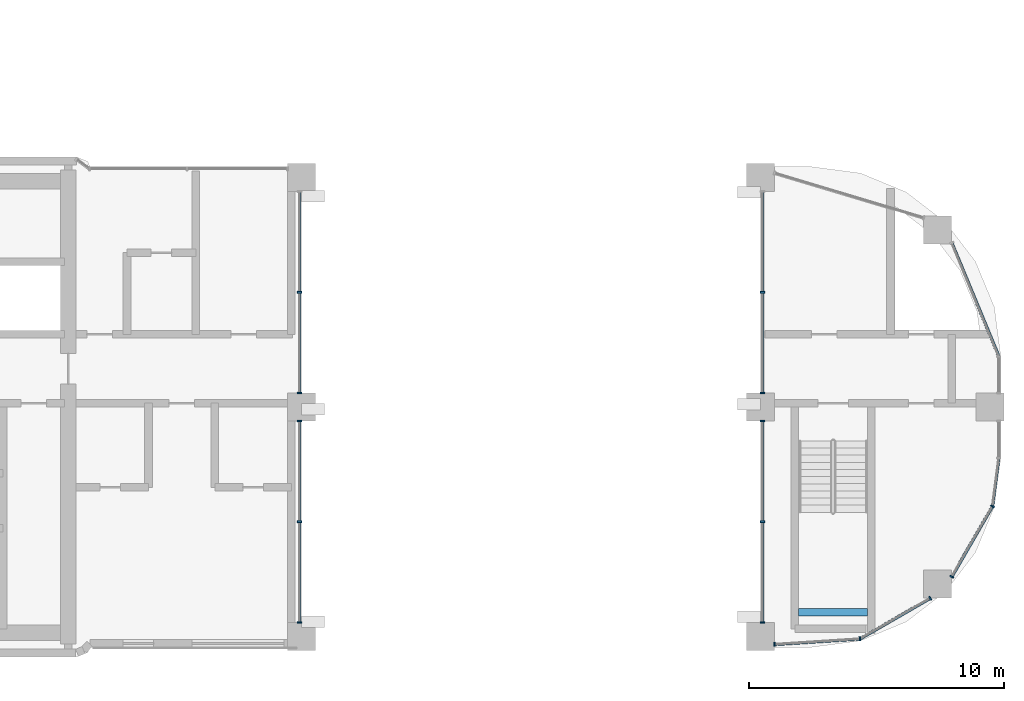
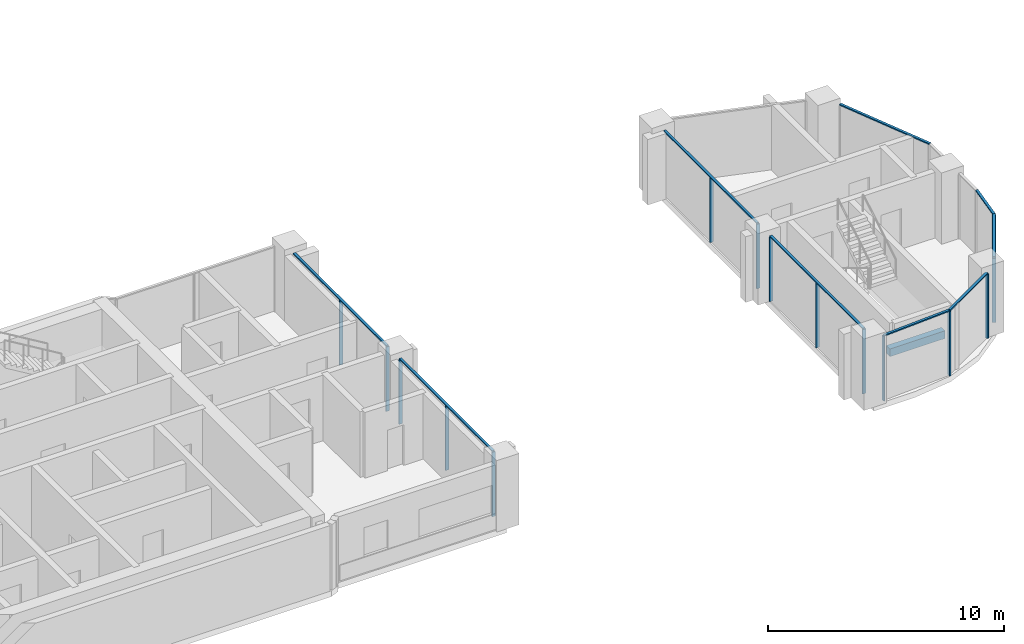
# One storey, part 3 of 21: 24 members, 1 beam, 7 elements without a shape of their own.
"""IFC4 building model written with IfcOpenShell, lengths in metres."""

from ifc_helpers import new_model, si_unit, direction, frame, origin, origin_2d, place, context, subcontext, project, spatial, rectangle, extrude, material, material_profile, profile_set, type_object, element, aggregate, save


model = new_model("IFC4")

# Units and contexts
model_context = context("Model", 3, precision=1e-05, world=origin(), true_north=direction((0.0, 1.0)))
body_context = subcontext(model_context, "Body", "Model", "MODEL_VIEW")
ifc_project = project(units=[si_unit("LENGTHUNIT", "METRE"), si_unit("AREAUNIT", "SQUARE_METRE"), si_unit("VOLUMEUNIT", "CUBIC_METRE"), si_unit("PLANEANGLEUNIT", "RADIAN"), si_unit("MASSUNIT", "GRAM", prefix="KILO")], contexts=[model_context])

# Site, building, storey
site_placement = place(None, origin())
site = spatial("IfcSite", under=ifc_project, at=site_placement, CompositionType="ELEMENT")
building_placement = place(site_placement, origin())
building = spatial("IfcBuilding", under=site, at=building_placement, Name="Ogive Portal Towers", CompositionType="ELEMENT")
storey_placement = place(building_placement, frame((0.0, 0.0, 157.0)))
storey = spatial("IfcBuildingStorey", under=building, at=storey_placement, Name="L38", CompositionType="ELEMENT", Elevation=157.0)

# Beam
ifc_material_1 = material(Name="Concrete C40/50", Category="concrete")
ifc_material_profile_1 = material_profile(ifc_material_1, rectangle(XDim=0.300048828125, YDim=0.39990234375, at=origin_2d()), Name="RC 300x400")
ifc_profile_set_1 = profile_set([ifc_material_profile_1], Name="Concrete C40/50")
beam_type = type_object("IfcBeamType", Name="BEAM RC 300x400", PredefinedType="BEAM", material=ifc_profile_set_1)
beam_placement = place(storey_placement, frame((87.0, 22.449951171875, 1.449951171875), z_axis=(1.0, 0.0, 0.0), x_axis=(0.0, 1.0, 0.0)))
element("IfcBeam", 1, at=beam_placement, inside=storey, type_object=beam_type, Name="Landing beam L38", PredefinedType="BEAM", context=body_context, shape_type="SweptSolid", body=[
    extrude(rectangle(XDim=0.300048828125, YDim=0.39990234375, at=origin_2d()), origin(), (0.0, 0.0, 1.0), 2.699951171875),
])

# Curtain wall, members
ifc_material_2 = material(Name="Glass, clear low-iron insulated glazing", Category="glass")
curtain_wall_type_1 = type_object("IfcCurtainWallType", Name="CW PORTAL REVEAL", PredefinedType="NOTDEFINED", material=ifc_material_2)
curtain_wall_1_placement = place(storey_placement, origin())
curtain_wall_1 = element("IfcCurtainWall", 2, at=curtain_wall_1_placement, inside=storey, type_object=curtain_wall_type_1, Name="A:L38:f22:cw0~0", PredefinedType="NOTDEFINED")
ifc_material_3 = material(Name="Aluminium 6063 anodised", Category="aluminium")
ifc_material_profile_2 = material_profile(ifc_material_3, rectangle(XDim=0.159912109375, YDim=0.06005859375, at=origin_2d()), Name="AL 60x160")
ifc_profile_set_2 = profile_set([ifc_material_profile_2], Name="Aluminium 6063 anodised")
member_type_1 = type_object("IfcMemberType", Name="CW MULLION 60x160", PredefinedType="MULLION", material=ifc_profile_set_2)
member_1_placement = place(storey_placement, frame((67.419921875, 22.050048828125, 0.0), z_axis=(0.0, 0.0, 1.0), x_axis=(-1.0, 0.0, 0.0)))
member_1 = element("IfcMember", 3, at=member_1_placement, type_object=member_type_1, Name="mullion", PredefinedType="MULLION", context=body_context, shape_type="SweptSolid", body=[
    extrude(rectangle(XDim=0.159912109375, YDim=0.06005859375, at=origin_2d()), origin(), (0.0, 0.0, 1.0), 3.340087890625),
])
member_2_placement = place(storey_placement, frame((67.419921875, 26.0, 0.0), z_axis=(0.0, 0.0, 1.0), x_axis=(-1.0, 0.0, 0.0)))
member_2 = element("IfcMember", 4, at=member_2_placement, type_object=member_type_1, Name="mullion", PredefinedType="MULLION", context=body_context, shape_type="SweptSolid", body=[
    extrude(rectangle(XDim=0.159912109375, YDim=0.06005859375, at=origin_2d()), origin(), (0.0, 0.0, 1.0), 3.340087890625),
])
member_3_placement = place(storey_placement, frame((67.419921875, 29.949951171875, 0.0), z_axis=(0.0, 0.0, 1.0), x_axis=(-1.0, 0.0, 0.0)))
member_3 = element("IfcMember", 5, at=member_3_placement, type_object=member_type_1, Name="mullion", PredefinedType="MULLION", context=body_context, shape_type="SweptSolid", body=[
    extrude(rectangle(XDim=0.159912109375, YDim=0.06005859375, at=origin_2d()), origin(), (0.0, 0.0, 1.0), 3.340087890625),
])

curtain_wall_2_placement = place(storey_placement, origin())
curtain_wall_2 = element("IfcCurtainWall", 6, at=curtain_wall_2_placement, inside=storey, type_object=curtain_wall_type_1, Name="A:L38:f22:cw0~1", PredefinedType="NOTDEFINED")
member_4_placement = place(storey_placement, frame((67.419921875, 31.050048828125, 0.0), z_axis=(0.0, 0.0, 1.0), x_axis=(-1.0, 0.0, 0.0)))
member_4 = element("IfcMember", 7, at=member_4_placement, type_object=member_type_1, Name="mullion", PredefinedType="MULLION", context=body_context, shape_type="SweptSolid", body=[
    extrude(rectangle(XDim=0.159912109375, YDim=0.06005859375, at=origin_2d()), origin(), (0.0, 0.0, 1.0), 3.340087890625),
])
member_5_placement = place(storey_placement, frame((67.419921875, 35.0, 0.0), z_axis=(0.0, 0.0, 1.0), x_axis=(-1.0, 0.0, 0.0)))
member_5 = element("IfcMember", 8, at=member_5_placement, type_object=member_type_1, Name="mullion", PredefinedType="MULLION", context=body_context, shape_type="SweptSolid", body=[
    extrude(rectangle(XDim=0.159912109375, YDim=0.06005859375, at=origin_2d()), origin(), (0.0, 0.0, 1.0), 3.340087890625),
])

curtain_wall_3_placement = place(storey_placement, origin())
curtain_wall_3 = element("IfcCurtainWall", 9, at=curtain_wall_3_placement, inside=storey, type_object=curtain_wall_type_1, Name="A:L38:f24:cw0~0", PredefinedType="NOTDEFINED")
member_6_placement = place(storey_placement, frame((85.580078125, 35.0, 0.0), z_axis=(0.0, 0.0, 1.0), x_axis=(1.0, 0.0, 0.0)))
member_6 = element("IfcMember", 10, at=member_6_placement, type_object=member_type_1, Name="mullion", PredefinedType="MULLION", context=body_context, shape_type="SweptSolid", body=[
    extrude(rectangle(XDim=0.159912109375, YDim=0.06005859375, at=origin_2d()), origin(), (0.0, 0.0, 1.0), 3.340087890625),
])
member_7_placement = place(storey_placement, frame((85.580078125, 31.050048828125, 0.0), z_axis=(0.0, 0.0, 1.0), x_axis=(1.0, 0.0, 0.0)))
member_7 = element("IfcMember", 11, at=member_7_placement, type_object=member_type_1, Name="mullion", PredefinedType="MULLION", context=body_context, shape_type="SweptSolid", body=[
    extrude(rectangle(XDim=0.159912109375, YDim=0.06005859375, at=origin_2d()), origin(), (0.0, 0.0, 1.0), 3.340087890625),
])

curtain_wall_4_placement = place(storey_placement, origin())
curtain_wall_4 = element("IfcCurtainWall", 12, at=curtain_wall_4_placement, inside=storey, type_object=curtain_wall_type_1, Name="A:L38:f24:cw0~1", PredefinedType="NOTDEFINED")
member_8_placement = place(storey_placement, frame((85.580078125, 29.949951171875, 0.0), z_axis=(0.0, 0.0, 1.0), x_axis=(1.0, 0.0, 0.0)))
member_8 = element("IfcMember", 13, at=member_8_placement, type_object=member_type_1, Name="mullion", PredefinedType="MULLION", context=body_context, shape_type="SweptSolid", body=[
    extrude(rectangle(XDim=0.159912109375, YDim=0.06005859375, at=origin_2d()), origin(), (0.0, 0.0, 1.0), 3.340087890625),
])
member_9_placement = place(storey_placement, frame((85.580078125, 26.0, 0.0), z_axis=(0.0, 0.0, 1.0), x_axis=(1.0, 0.0, 0.0)))
member_9 = element("IfcMember", 14, at=member_9_placement, type_object=member_type_1, Name="mullion", PredefinedType="MULLION", context=body_context, shape_type="SweptSolid", body=[
    extrude(rectangle(XDim=0.159912109375, YDim=0.06005859375, at=origin_2d()), origin(), (0.0, 0.0, 1.0), 3.340087890625),
])
member_10_placement = place(storey_placement, frame((85.580078125, 22.050048828125, 0.0), z_axis=(0.0, 0.0, 1.0), x_axis=(1.0, 0.0, 0.0)))
member_10 = element("IfcMember", 15, at=member_10_placement, type_object=member_type_1, Name="mullion", PredefinedType="MULLION", context=body_context, shape_type="SweptSolid", body=[
    extrude(rectangle(XDim=0.159912109375, YDim=0.06005859375, at=origin_2d()), origin(), (0.0, 0.0, 1.0), 3.340087890625),
])

curtain_wall_type_2 = type_object("IfcCurtainWallType", Name="CW FRONT RIBBON 4500", PredefinedType="NOTDEFINED", material=ifc_material_2)
curtain_wall_5_placement = place(storey_placement, origin())
curtain_wall_5 = element("IfcCurtainWall", 16, at=curtain_wall_5_placement, inside=storey, type_object=curtain_wall_type_2, Name="A:L38:f25:cwa~0", PredefinedType="NOTDEFINED")
member_11_placement = place(storey_placement, frame((86.050048828125, 21.190673828125, 0.0), z_axis=(0.0, 0.0, 1.0), x_axis=(-0.064378682198, 0.997925540949, 0.0)))
member_11 = element("IfcMember", 17, at=member_11_placement, type_object=member_type_1, Name="mullion", PredefinedType="MULLION", context=body_context, shape_type="SweptSolid", body=[
    extrude(rectangle(XDim=0.159912109375, YDim=0.06005859375, at=origin_2d()), origin(), (0.0, 0.0, 1.0), 3.340087890625),
])
member_12_placement = place(storey_placement, frame((89.39794921875, 21.40673828125, 0.0), z_axis=(0.0, 0.0, 1.0), x_axis=(-0.064378682198, 0.997925540949, 0.0)))
member_12 = element("IfcMember", 18, at=member_12_placement, type_object=member_type_1, Name="mullion", PredefinedType="MULLION", context=body_context, shape_type="SweptSolid", body=[
    extrude(rectangle(XDim=0.159912109375, YDim=0.06005859375, at=origin_2d()), origin(), (0.0, 0.0, 1.0), 3.340087890625),
])
member_13_placement = place(storey_placement, frame((92.15771484375, 23.0, 0.0), z_axis=(0.0, 0.0, 1.0), x_axis=(-0.5, 0.866025403784, 0.0)))
member_13 = element("IfcMember", 19, at=member_13_placement, type_object=member_type_1, Name="mullion", PredefinedType="MULLION", context=body_context, shape_type="SweptSolid", body=[
    extrude(rectangle(XDim=0.159912109375, YDim=0.06005859375, at=origin_2d()), origin(), (0.0, 0.0, 1.0), 3.340087890625),
])

curtain_wall_6_placement = place(storey_placement, origin())
curtain_wall_6 = element("IfcCurtainWall", 20, at=curtain_wall_6_placement, inside=storey, type_object=curtain_wall_type_2, Name="A:L38:f25:cwa~1", PredefinedType="NOTDEFINED")
member_14_placement = place(storey_placement, frame((93.0, 23.84228515625, 0.0), z_axis=(0.0, 0.0, 1.0), x_axis=(-0.866025403784, 0.5, 0.0)))
member_14 = element("IfcMember", 21, at=member_14_placement, type_object=member_type_1, Name="mullion", PredefinedType="MULLION", context=body_context, shape_type="SweptSolid", body=[
    extrude(rectangle(XDim=0.159912109375, YDim=0.06005859375, at=origin_2d()), origin(), (0.0, 0.0, 1.0), 3.340087890625),
])
member_15_placement = place(storey_placement, frame((94.5947265625, 26.6044921875, 0.0), z_axis=(0.0, 0.0, 1.0), x_axis=(-0.866025403784, 0.5, 0.0)))
member_15 = element("IfcMember", 22, at=member_15_placement, type_object=member_type_1, Name="mullion", PredefinedType="MULLION", context=body_context, shape_type="SweptSolid", body=[
    extrude(rectangle(XDim=0.159912109375, YDim=0.06005859375, at=origin_2d()), origin(), (0.0, 0.0, 1.0), 3.340087890625),
])

# Member
ifc_material_profile_3 = material_profile(ifc_material_3, rectangle(XDim=0.1201171875, YDim=0.06005859375, at=origin_2d()), Name="AL 120x60")
ifc_profile_set_3 = profile_set([ifc_material_profile_3], Name="Aluminium 6063 anodised")
member_type_2 = type_object("IfcMemberType", Name="CW TRANSOM 60x120", PredefinedType="USERDEFINED", material=ifc_profile_set_3)
member_16_placement = place(storey_placement, frame((67.419921875, 22.050048828125, 3.3701171875), z_axis=(0.0, 1.0, 0.0), x_axis=(-1.0, 0.0, 0.0)))
member_16 = element("IfcMember", 23, at=member_16_placement, type_object=member_type_2, Name="transom", ObjectType="TRANSOM", PredefinedType="USERDEFINED", context=body_context, shape_type="SweptSolid", body=[
    extrude(rectangle(XDim=0.1201171875, YDim=0.06005859375, at=origin_2d()), origin(), (0.0, 0.0, 1.0), 7.89990234375),
])

aggregate(curtain_wall_1, [member_16, member_1, member_2, member_3])

member_17_placement = place(storey_placement, frame((67.419921875, 31.050048828125, 3.3701171875), z_axis=(0.0, 1.0, 0.0), x_axis=(-1.0, 0.0, 0.0)))
member_17 = element("IfcMember", 24, at=member_17_placement, type_object=member_type_2, Name="transom", ObjectType="TRANSOM", PredefinedType="USERDEFINED", context=body_context, shape_type="SweptSolid", body=[
    extrude(rectangle(XDim=0.1201171875, YDim=0.06005859375, at=origin_2d()), origin(), (0.0, 0.0, 1.0), 7.89990234375),
])

aggregate(curtain_wall_2, [member_17, member_4, member_5])

member_18_placement = place(storey_placement, frame((85.580078125, 38.949951171875, 3.3701171875), z_axis=(0.0, -1.0, 0.0), x_axis=(1.0, 0.0, 0.0)))
member_18 = element("IfcMember", 25, at=member_18_placement, type_object=member_type_2, Name="transom", ObjectType="TRANSOM", PredefinedType="USERDEFINED", context=body_context, shape_type="SweptSolid", body=[
    extrude(rectangle(XDim=0.1201171875, YDim=0.06005859375, at=origin_2d()), origin(), (0.0, 0.0, 1.0), 7.89990234375),
])

aggregate(curtain_wall_3, [member_18, member_6, member_7])

member_19_placement = place(storey_placement, frame((85.580078125, 29.949951171875, 3.3701171875), z_axis=(0.0, -1.0, 0.0), x_axis=(1.0, 0.0, 0.0)))
member_19 = element("IfcMember", 26, at=member_19_placement, type_object=member_type_2, Name="transom", ObjectType="TRANSOM", PredefinedType="USERDEFINED", context=body_context, shape_type="SweptSolid", body=[
    extrude(rectangle(XDim=0.1201171875, YDim=0.06005859375, at=origin_2d()), origin(), (0.0, 0.0, 1.0), 7.89990234375),
])

aggregate(curtain_wall_4, [member_19, member_8, member_9, member_10])

member_20_placement = place(storey_placement, frame((86.050048828125, 21.190673828125, 3.3701171875), z_axis=(0.997923951339, 0.064403317796, 0.0), x_axis=(-0.064403317796, 0.997923951339, 0.0)))
member_20 = element("IfcMember", 27, at=member_20_placement, type_object=member_type_2, Name="transom", ObjectType="TRANSOM", PredefinedType="USERDEFINED", context=body_context, shape_type="SweptSolid", body=[
    extrude(rectangle(XDim=0.1201171875, YDim=0.06005859375, at=origin_2d()), origin(), (0.0, 0.0, 1.0), 3.35498046875),
])

member_21_placement = place(storey_placement, frame((89.39794921875, 21.40673828125, 3.3701171875), z_axis=(0.866037593286, 0.49997888657, 0.0), x_axis=(-0.49997888657, 0.866037593286, 0.0)))
member_21 = element("IfcMember", 28, at=member_21_placement, type_object=member_type_2, Name="transom", ObjectType="TRANSOM", PredefinedType="USERDEFINED", context=body_context, shape_type="SweptSolid", body=[
    extrude(rectangle(XDim=0.1201171875, YDim=0.06005859375, at=origin_2d()), origin(), (0.0, 0.0, 1.0), 3.186767578125),
])

aggregate(curtain_wall_5, [member_20, member_21, member_11, member_12, member_13])

member_22_placement = place(storey_placement, frame((93.0, 23.84228515625, 3.3701171875), z_axis=(0.499991908467, 0.866030075383, 0.0), x_axis=(-0.866030075383, 0.499991908467, 0.0)))
member_22 = element("IfcMember", 29, at=member_22_placement, type_object=member_type_2, Name="transom", ObjectType="TRANSOM", PredefinedType="USERDEFINED", context=body_context, shape_type="SweptSolid", body=[
    extrude(rectangle(XDim=0.1201171875, YDim=0.06005859375, at=origin_2d()), origin(), (0.0, 0.0, 1.0), 3.189453125),
])

member_23_placement = place(storey_placement, frame((94.5947265625, 26.6044921875, 3.3701171875), z_axis=(0.130536871136, 0.991443455409, 0.0), x_axis=(-0.991443455409, 0.130536871136, 0.0)))
member_23 = element("IfcMember", 30, at=member_23_placement, type_object=member_type_2, Name="transom", ObjectType="TRANSOM", PredefinedType="USERDEFINED", context=body_context, shape_type="SweptSolid", body=[
    extrude(rectangle(XDim=0.1201171875, YDim=0.06005859375, at=origin_2d()), origin(), (0.0, 0.0, 1.0), 1.9169921875),
])

aggregate(curtain_wall_6, [member_22, member_23, member_14, member_15])

# Curtain wall, member
curtain_wall_7_placement = place(storey_placement, origin())
curtain_wall_7 = element("IfcCurtainWall", 31, at=curtain_wall_7_placement, inside=storey, type_object=curtain_wall_type_2, Name="A:L38:f30:cwa~0", PredefinedType="NOTDEFINED")
member_24_placement = place(storey_placement, frame((94.844970703125, 32.484130859375, 3.3701171875), z_axis=(-0.382687226051, 0.923877961106, 0.0), x_axis=(-0.923877961106, -0.382687226051, 0.0)))
member_24 = element("IfcMember", 32, at=member_24_placement, type_object=member_type_2, Name="transom", ObjectType="TRANSOM", PredefinedType="USERDEFINED", context=body_context, shape_type="SweptSolid", body=[
    extrude(rectangle(XDim=0.1201171875, YDim=0.06005859375, at=origin_2d()), origin(), (0.0, 0.0, 1.0), 4.821044921875),
])
aggregate(curtain_wall_7, [member_24])

save(model, "model.ifc")
